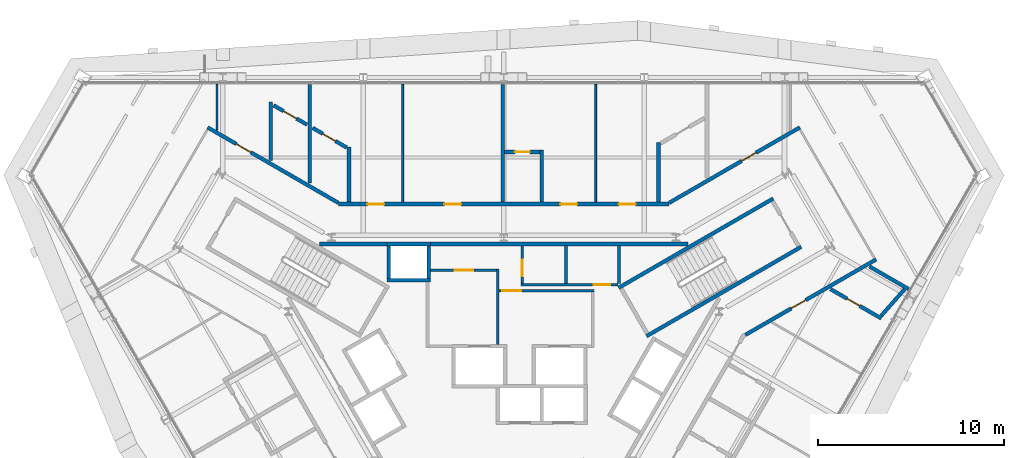
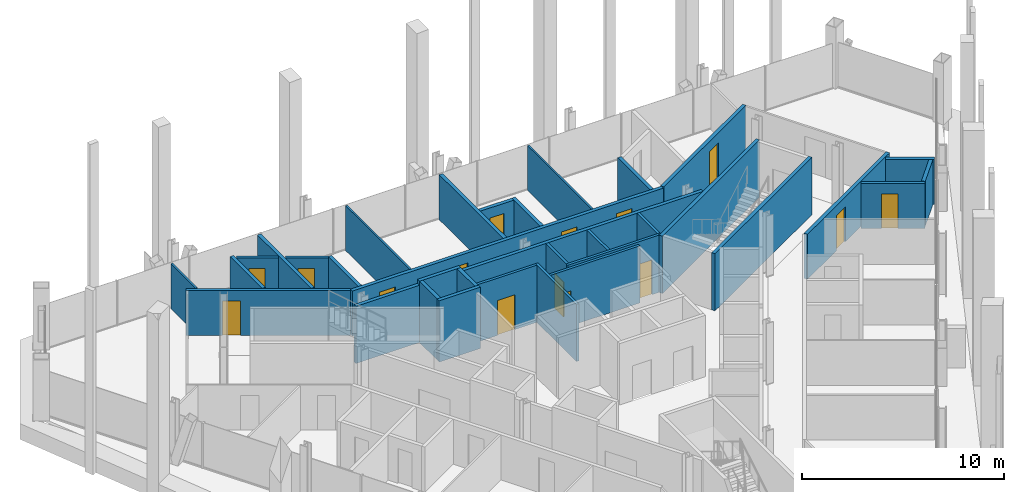
# One storey, part 11 of 14: 34 walls, 15 doors, 15 openings.
"""IFC4 building model written with IfcOpenShell, lengths in metres."""

from ifc_helpers import new_model, si_unit, direction, frame, frame_2d, origin, place, context, subcontext, project, spatial, rectangle, extrude, material, layer, layer_set, type_object, element, fill, save


model = new_model("IFC4")

# Units and contexts
model_context = context("Model", 3, precision=1e-05, world=origin(), true_north=direction((0.0, 1.0)))
body_context = subcontext(model_context, "Body", "Model", "MODEL_VIEW")
ifc_project = project(units=[si_unit("LENGTHUNIT", "METRE"), si_unit("AREAUNIT", "SQUARE_METRE"), si_unit("VOLUMEUNIT", "CUBIC_METRE"), si_unit("PLANEANGLEUNIT", "RADIAN"), si_unit("MASSUNIT", "GRAM", prefix="KILO")], contexts=[model_context])

# Site, building, storey
site_placement = place(None, origin())
site = spatial("IfcSite", under=ifc_project, at=site_placement, CompositionType="ELEMENT")
building_placement = place(site_placement, origin())
building = spatial("IfcBuilding", under=site, at=building_placement, Name="Verrane Prism Tower", CompositionType="ELEMENT")
storey_placement = place(building_placement, frame((0.0, 0.0, 148.800048828125)))
storey = spatial("IfcBuildingStorey", under=building, at=storey_placement, Name="L36", CompositionType="ELEMENT", Elevation=148.800048828125)

# Walls
ifc_material_1 = material(Name="Gypsum board partition", Category="other")
ifc_layer_1 = layer(ifc_material_1, 0.199951171875)
ifc_layer_set_1 = layer_set([ifc_layer_1], Name="CW-200 core boundary wall 2 h")
wall_type_1 = type_object("IfcWallType", Name="CW-200 core boundary wall 2 h", PredefinedType="PARTITIONING", material=ifc_layer_set_1)
wall_1_placement = place(storey_placement, frame((-9.907958984375, 7.659912109375, 0.0), z_axis=(0.0, 0.0, 1.0), x_axis=(1.0, 0.0, 0.0)))
element("IfcWall", 1, at=wall_1_placement, inside=storey, type_object=wall_type_1, Name="Core boundary wall CW3-002", PredefinedType="PARTITIONING", context=body_context, shape_type="SweptSolid", body=[
    extrude(rectangle(XDim=3.620849609375, YDim=0.199951171875, at=frame_2d((1.810546875, 0.0))), origin(), (0.0, 0.0, 1.0), 3.449951171875),
])
wall_2_placement = place(storey_placement, frame((-3.93310546875, 7.659912109375, 0.0), z_axis=(0.0, 0.0, 1.0), x_axis=(1.0, 0.0, 0.0)))
element("IfcWall", 2, at=wall_2_placement, inside=storey, type_object=wall_type_1, Name="Core boundary wall CW3-005", PredefinedType="PARTITIONING", context=body_context, shape_type="SweptSolid", body=[
    extrude(rectangle(XDim=13.841064453125, YDim=0.199951171875, at=frame_2d((6.92041015625, 0.0))), origin(), (0.0, 0.0, 1.0), 3.449951171875),
])
ifc_material_2 = material(Name="Concrete C40/50", Category="concrete")
ifc_layer_2 = layer(ifc_material_2, 0.199951171875)
ifc_layer_set_2 = layer_set([ifc_layer_2], Name="CW-200 stair core wall concrete C40/50 3 h")
wall_type_2 = type_object("IfcWallType", Name="CW-200 stair core wall concrete C40/50 3 h", PredefinedType="PARTITIONING", material=ifc_layer_set_2)
for number, where, z_axis, x_axis, name in (
    (3, (6.17822265625, 5.299072265625, 0.0), (0.0, 0.0, 1.0), (0.866019993635, 0.500009370536, 0.0), "Stair 1 enclosure wall"),
    (4, (7.67822265625, 2.700927734375, 0.0), (0.0, 0.0, 1.0), (0.866019993635, 0.500009370536, 0.0), "Stair 1 enclosure wall"),
):
    element("IfcWall", number, at=place(storey_placement, frame(where, z_axis=z_axis, x_axis=x_axis)), inside=storey, type_object=wall_type_2, Name=name, PredefinedType="PARTITIONING", context=body_context, shape_type="SweptSolid", body=[
        extrude(rectangle(XDim=9.599853515625, YDim=0.199951171875, at=frame_2d((4.7998046875, 0.0))), origin(), (0.0, 0.0, 1.0), 3.449951171875),
    ])
ifc_material_3 = material(Name="Gypsum board shaft wall assembly", Category="other")
ifc_layer_3 = layer(ifc_material_3, 0.199951171875)
ifc_layer_set_3 = layer_set([ifc_layer_3], Name="HW-200 lift shaft wall 2 h")
wall_type_3 = type_object("IfcWallType", Name="HW-200 lift shaft wall 2 h", PredefinedType="PARTITIONING", material=ifc_layer_set_3)
for number, where, z_axis, x_axis, name in (
    (5, (-6.284912109375, 5.7099609375, 0.0), (0.0, 0.0, 1.0), (1.0, 0.0, 0.0), "Lift shaft wall"),
    (6, (-6.284912109375, 7.659912109375, 0.0), (0.0, 0.0, 1.0), (1.0, 0.0, 0.0), "Lift shaft wall"),
):
    element("IfcWall", number, at=place(storey_placement, frame(where, z_axis=z_axis, x_axis=x_axis)), inside=storey, type_object=wall_type_3, Name=name, PredefinedType="PARTITIONING", context=body_context, shape_type="SweptSolid", body=[
        extrude(rectangle(XDim=2.349853515625, YDim=0.199951171875, at=frame_2d((1.1748046875, 0.0))), origin(), (0.0, 0.0, 1.0), 3.699951171875),
    ])
for number, where, z_axis, x_axis, name in (
    (7, (-4.034912109375, 5.81005859375, 0.0), (0.0, 0.0, 1.0), (0.0, 1.0, 0.0), "Lift shaft wall"),
    (8, (-6.18505859375, 5.81005859375, 0.0), (0.0, 0.0, 1.0), (0.0, 1.0, 0.0), "Lift shaft wall"),
):
    element("IfcWall", number, at=place(storey_placement, frame(where, z_axis=z_axis, x_axis=x_axis)), inside=storey, type_object=wall_type_3, Name=name, PredefinedType="PARTITIONING", context=body_context, shape_type="SweptSolid", body=[
        extrude(rectangle(XDim=1.75, YDim=0.199951171875, at=frame_2d((0.875, 0.0))), origin(), (0.0, 0.0, 1.0), 3.699951171875),
    ])

# Wall, opening, door
ifc_material_4 = material(Name="Gypsum board partition", Category="other")
ifc_layer_4 = layer(ifc_material_4, 0.14990234375)
ifc_layer_set_4 = layer_set([ifc_layer_4], Name="LF-150 firefighting lobby wall 1 h")
wall_type_4 = type_object("IfcWallType", Name="LF-150 firefighting lobby wall 1 h", PredefinedType="PARTITIONING", material=ifc_layer_set_4)
wall_3_placement = place(storey_placement, frame((-3.93310546875, 6.239990234375, 0.0), z_axis=(0.0, 0.0, 1.0), x_axis=(1.0, 0.0, 0.0)))
wall_3 = element("IfcWall", 9, at=wall_3_placement, inside=storey, type_object=wall_type_4, Name="Firefighting lobby wall LF1-003", PredefinedType="PARTITIONING", context=body_context, shape_type="SweptSolid", body=[
    extrude(rectangle(XDim=3.5380859375, YDim=0.14990234375, at=frame_2d((1.76904296875, 0.0))), origin(), (0.0, 0.0, 1.0), 3.449951171875),
])
opening_1_placement = place(wall_3_placement, frame((1.300048828125, 0.0, 0.0)))
opening_1 = element("IfcOpeningElement", 10, at=opening_1_placement, cuts=wall_3, Name="Opening D36512", PredefinedType="OPENING", context=body_context, shape_type="SweptSolid", body=[
    extrude(rectangle(XDim=1.0, YDim=2.10009765625, at=frame_2d((0.5, 1.050048828125))), frame((0.0, 0.0849609375, 0.0), z_axis=(0.0, -1.0, 0.0), x_axis=(1.0, 0.0, 0.0)), (0.0, 0.0, 1.0), 0.169921875),
])
ifc_material_5 = material(Name="Timber veneered door leaf", Category="wood")
door_type_1 = type_object("IfcDoorType", Name="DR-1000x2100 FD60 single leaf firefighting lobby", OperationType="NOTDEFINED", PredefinedType="DOOR", material=ifc_material_5)
door_1_placement = place(opening_1_placement, origin())
door_1 = element("IfcDoor", 11, at=door_1_placement, inside=storey, type_object=door_type_1, Name="Firefighting lobby door D36512", OperationType="SINGLE_SWING_LEFT", OverallHeight=2.10009765625, OverallWidth=1.0, PredefinedType="DOOR", context=body_context, shape_type="SweptSolid", body=[
    extrude(rectangle(XDim=1.0, YDim=2.10009765625, at=frame_2d((0.5, 1.050048828125))), frame((0.0, 0.02490234375, 0.0), z_axis=(0.0, -1.0, 0.0), x_axis=(1.0, 0.0, 0.0)), (0.0, 0.0, 1.0), 0.050048828125),
])
fill(opening_1, door_1)

# Wall
wall_4_placement = place(storey_placement, frame((-0.320068359375, 2.251953125, 0.0), z_axis=(0.0, 0.0, 1.0), x_axis=(0.0, 1.0, 0.0)))
element("IfcWall", 12, at=wall_4_placement, inside=storey, type_object=wall_type_4, Name="Firefighting lobby wall LF1-004", PredefinedType="PARTITIONING", context=body_context, shape_type="SweptSolid", body=[
    extrude(rectangle(XDim=4.06298828125, YDim=0.14990234375, at=frame_2d((2.031494140625, 0.0))), origin(), (0.0, 0.0, 1.0), 3.449951171875),
])

# Wall, opening, door
wall_5_placement = place(storey_placement, frame((-0.2451171875, 5.139892578125, 0.0), z_axis=(0.0, 0.0, 1.0), x_axis=(1.0, 0.0, 0.0)))
wall_5 = element("IfcWall", 13, at=wall_5_placement, inside=storey, type_object=wall_type_4, Name="Firefighting lobby wall LF1-005", PredefinedType="PARTITIONING", context=body_context, shape_type="SweptSolid", body=[
    extrude(rectangle(XDim=5.110107421875, YDim=0.14990234375, at=frame_2d((2.55517578125, 0.0))), origin(), (0.0, 0.0, 1.0), 3.449951171875),
])
opening_2_placement = place(wall_5_placement, frame((0.175048828125, 0.0, 0.0)))
opening_2 = element("IfcOpeningElement", 14, at=opening_2_placement, cuts=wall_5, Name="Opening D36513", PredefinedType="OPENING", context=body_context, shape_type="SweptSolid", body=[
    extrude(rectangle(XDim=1.0, YDim=2.10009765625, at=frame_2d((0.5, 1.050048828125))), frame((0.0, 0.0849609375, 0.0), z_axis=(0.0, -1.0, 0.0), x_axis=(1.0, 0.0, 0.0)), (0.0, 0.0, 1.0), 0.169921875),
])
door_2_placement = place(opening_2_placement, origin())
door_2 = element("IfcDoor", 15, at=door_2_placement, inside=storey, type_object=door_type_1, Name="Firefighting lobby door D36513", OperationType="SINGLE_SWING_LEFT", OverallHeight=2.10009765625, OverallWidth=1.0, PredefinedType="DOOR", context=body_context, shape_type="SweptSolid", body=[
    extrude(rectangle(XDim=1.0, YDim=2.10009765625, at=frame_2d((0.5, 1.050048828125))), frame((0.0, 0.02490234375, 0.0), z_axis=(0.0, -1.0, 0.0), x_axis=(1.0, 0.0, 0.0)), (0.0, 0.0, 1.0), 0.050048828125),
])
fill(opening_2, door_2)

# Walls
ifc_material_6 = material(Name="Gypsum board partition", Category="other")
ifc_layer_5 = layer(ifc_material_6, 0.10009765625)
ifc_layer_set_5 = layer_set([ifc_layer_5], Name="PW-100 room partition")
wall_type_5 = type_object("IfcWallType", Name="PW-100 room partition", PredefinedType="PARTITIONING", material=ifc_layer_set_5)
wall_6_placement = place(storey_placement, frame((-15.4130859375, 13.7744140625, 0.0), z_axis=(0.0, 0.0, 1.0), x_axis=(0.0, 1.0, 0.0)))
element("IfcWall", 16, at=wall_6_placement, inside=storey, type_object=wall_type_5, Name="Room partition 007", PredefinedType="PARTITIONING", context=body_context, shape_type="SweptSolid", body=[
    extrude(rectangle(XDim=2.460693359375, YDim=0.10009765625, at=frame_2d((1.23046875, 0.0))), origin(), (0.0, 0.0, 1.0), 2.712890625),
])
for number, where, z_axis, x_axis, name in (
    (17, (-5.43701171875, 9.89990234375, 0.0), (0.0, 0.0, 1.0), (0.0, 1.0, 0.0), "Room partition 023"),
    (18, (4.93798828125, 9.89990234375, 0.0), (0.0, 0.0, 1.0), (0.0, 1.0, 0.0), "Room partition 032"),
):
    element("IfcWall", number, at=place(storey_placement, frame(where, z_axis=z_axis, x_axis=x_axis)), inside=storey, type_object=wall_type_5, Name=name, PredefinedType="PARTITIONING", context=body_context, shape_type="SweptSolid", body=[
        extrude(rectangle(XDim=6.335205078125, YDim=0.10009765625, at=frame_2d((3.16748046875, 0.0))), origin(), (0.0, 0.0, 1.0), 2.712890625),
    ])

# Wall, opening, door
ifc_material_7 = material(Name="Gypsum board partition", Category="other")
ifc_layer_6 = layer(ifc_material_7, 0.199951171875)
ifc_layer_set_6 = layer_set([ifc_layer_6], Name="PW-200 plumbing wall")
wall_type_6 = type_object("IfcWallType", Name="PW-200 plumbing wall", PredefinedType="PARTITIONING", material=ifc_layer_set_6)
wall_7_placement = place(storey_placement, frame((-15.92138671875, 13.923095703125, 0.0), z_axis=(0.0, 0.0, 1.0), x_axis=(0.866079355551, -0.499906541154, 0.0)))
wall_7 = element("IfcWall", 19, at=wall_7_placement, inside=storey, type_object=wall_type_6, Name="Plumbing wall 006", PredefinedType="PARTITIONING", context=body_context, shape_type="SweptSolid", body=[
    extrude(rectangle(XDim=8.11279296875, YDim=0.199951171875, at=frame_2d((4.056396484375, 0.0))), origin(), (0.0, 0.0, 1.0), 2.712890625),
])
opening_3_placement = place(wall_7_placement, frame((1.787109375, 0.0, 0.0)))
opening_3 = element("IfcOpeningElement", 20, at=opening_3_placement, cuts=wall_7, Name="Opening D36018", PredefinedType="OPENING", context=body_context, shape_type="SweptSolid", body=[
    extrude(rectangle(XDim=0.89990234375, YDim=2.10009765625, at=frame_2d((0.449951171875, 1.050048828125))), frame((0.0, 0.10986328125, 0.0), z_axis=(0.0, -1.0, 0.0), x_axis=(1.0, 0.0, 0.0)), (0.0, 0.0, 1.0), 0.219970703125),
])
ifc_material_8 = material(Name="Timber veneered door leaf", Category="wood")
door_type_2 = type_object("IfcDoorType", Name="DR-900x2100 single leaf inner", OperationType="NOTDEFINED", PredefinedType="DOOR", material=ifc_material_8)
door_3_placement = place(opening_3_placement, origin())
door_3 = element("IfcDoor", 21, at=door_3_placement, inside=storey, type_object=door_type_2, Name="Bedroom door", OperationType="SINGLE_SWING_RIGHT", OverallHeight=2.10009765625, OverallWidth=0.89990234375, PredefinedType="DOOR", context=body_context, shape_type="SweptSolid", body=[
    extrude(rectangle(XDim=0.89990234375, YDim=2.10009765625, at=frame_2d((0.449951171875, 1.050048828125))), frame((0.0, 0.02490234375, 0.0), z_axis=(0.0, -1.0, 0.0), x_axis=(1.0, 0.0, 0.0)), (0.0, 0.0, 1.0), 0.050048828125),
])
fill(opening_3, door_3)

# Wall
wall_8_placement = place(storey_placement, frame((-12.52490234375, 12.13623046875, 0.0), z_axis=(0.0, 0.0, 1.0), x_axis=(0.0, 1.0, 0.0)))
element("IfcWall", 22, at=wall_8_placement, inside=storey, type_object=wall_type_6, Name="Plumbing wall 013", PredefinedType="PARTITIONING", context=body_context, shape_type="SweptSolid", body=[
    extrude(rectangle(XDim=3.15966796875, YDim=0.199951171875, at=frame_2d((1.579833984375, 0.0))), origin(), (0.0, 0.0, 1.0), 2.712890625),
])

# Wall, opening, door
wall_9_placement = place(storey_placement, frame((-10.574951171875, 14.070556640625, 0.0), z_axis=(0.0, 0.0, 1.0), x_axis=(-0.866084027935, 0.499898446243, 0.0)))
wall_9 = element("IfcWall", 23, at=wall_9_placement, inside=storey, type_object=wall_type_6, Name="Plumbing wall 014", PredefinedType="PARTITIONING", context=body_context, shape_type="SweptSolid", body=[
    extrude(rectangle(XDim=2.08154296875, YDim=0.199951171875, at=frame_2d((1.040771484375, 0.0))), origin(), (0.0, 0.0, 1.0), 2.712890625),
])
opening_4_placement = place(wall_9_placement, frame((0.6513671875, 0.0, 0.0)))
opening_4 = element("IfcOpeningElement", 24, at=opening_4_placement, cuts=wall_9, Name="Opening D36019", PredefinedType="OPENING", context=body_context, shape_type="SweptSolid", body=[
    extrude(rectangle(XDim=0.800048828125, YDim=2.10009765625, at=frame_2d((0.39990234375, 1.050048828125))), frame((0.0, 0.10986328125, 0.0), z_axis=(0.0, -1.0, 0.0), x_axis=(1.0, 0.0, 0.0)), (0.0, 0.0, 1.0), 0.219970703125),
])
ifc_material_9 = material(Name="Timber veneered door leaf", Category="wood")
door_type_3 = type_object("IfcDoorType", Name="DR-800x2100 single leaf bath", OperationType="NOTDEFINED", PredefinedType="DOOR", material=ifc_material_9)
door_4_placement = place(opening_4_placement, origin())
door_4 = element("IfcDoor", 25, at=door_4_placement, inside=storey, type_object=door_type_3, Name="Bathroom door", OperationType="SINGLE_SWING_RIGHT", OverallHeight=2.10009765625, OverallWidth=0.800048828125, PredefinedType="DOOR", context=body_context, shape_type="SweptSolid", body=[
    extrude(rectangle(XDim=0.800048828125, YDim=2.10009765625, at=frame_2d((0.39990234375, 1.050048828125))), frame((0.0, 0.02490234375, 0.0), z_axis=(0.0, -1.0, 0.0), x_axis=(1.0, 0.0, 0.0)), (0.0, 0.0, 1.0), 0.050048828125),
])
fill(opening_4, door_4)

# Wall
wall_10_placement = place(storey_placement, frame((-10.425048828125, 10.924072265625, 0.0), z_axis=(0.0, 0.0, 1.0), x_axis=(0.0, 1.0, 0.0)))
element("IfcWall", 26, at=wall_10_placement, inside=storey, type_object=wall_type_6, Name="Plumbing wall 017", PredefinedType="PARTITIONING", context=body_context, shape_type="SweptSolid", body=[
    extrude(rectangle(XDim=5.31103515625, YDim=0.199951171875, at=frame_2d((2.655517578125, 0.0))), origin(), (0.0, 0.0, 1.0), 2.712890625),
])

# Wall, opening, door
wall_11_placement = place(storey_placement, frame((-8.44189453125, 12.839599609375, 0.0), z_axis=(0.0, 0.0, 1.0), x_axis=(-0.866112597434, 0.499848945749, 0.0)))
wall_11 = element("IfcWall", 27, at=wall_11_placement, inside=storey, type_object=wall_type_6, Name="Plumbing wall 018", PredefinedType="PARTITIONING", context=body_context, shape_type="SweptSolid", body=[
    extrude(rectangle(XDim=2.116455078125, YDim=0.199951171875, at=frame_2d((1.05810546875, 0.0))), origin(), (0.0, 0.0, 1.0), 2.712890625),
])
opening_5_placement = place(wall_11_placement, frame((0.689697265625, 0.0, 0.0)))
opening_5 = element("IfcOpeningElement", 28, at=opening_5_placement, cuts=wall_11, Name="Opening D36017", PredefinedType="OPENING", context=body_context, shape_type="SweptSolid", body=[
    extrude(rectangle(XDim=0.800048828125, YDim=2.10009765625, at=frame_2d((0.39990234375, 1.050048828125))), frame((0.0, 0.10986328125, 0.0), z_axis=(0.0, -1.0, 0.0), x_axis=(1.0, 0.0, 0.0)), (0.0, 0.0, 1.0), 0.219970703125),
])
door_5_placement = place(opening_5_placement, origin())
door_5 = element("IfcDoor", 29, at=door_5_placement, inside=storey, type_object=door_type_3, Name="Bathroom door", OperationType="SINGLE_SWING_RIGHT", OverallHeight=2.10009765625, OverallWidth=0.800048828125, PredefinedType="DOOR", context=body_context, shape_type="SweptSolid", body=[
    extrude(rectangle(XDim=0.800048828125, YDim=2.10009765625, at=frame_2d((0.39990234375, 1.050048828125))), frame((0.0, 0.02490234375, 0.0), z_axis=(0.0, -1.0, 0.0), x_axis=(1.0, 0.0, 0.0)), (0.0, 0.0, 1.0), 0.050048828125),
])
fill(opening_5, door_5)

# Wall, openings, doors
wall_12_placement = place(storey_placement, frame((-8.8779296875, 9.800048828125, 0.0), z_axis=(0.0, 0.0, 1.0), x_axis=(1.0, 0.0, 0.0)))
wall_12 = element("IfcWall", 30, at=wall_12_placement, inside=storey, type_object=wall_type_6, Name="Plumbing wall 020", PredefinedType="PARTITIONING", context=body_context, shape_type="SweptSolid", body=[
    extrude(rectangle(XDim=17.755859375, YDim=0.199951171875, at=frame_2d((8.8779296875, 0.0))), origin(), (0.0, 0.0, 1.0), 2.712890625),
])
opening_6_placement = place(wall_12_placement, frame((15.06591796875, 0.0, 0.0)))
opening_6 = element("IfcOpeningElement", 31, at=opening_6_placement, cuts=wall_12, Name="Opening D36011", PredefinedType="OPENING", context=body_context, shape_type="SweptSolid", body=[
    extrude(rectangle(XDim=0.89990234375, YDim=2.10009765625, at=frame_2d((0.449951171875, 1.050048828125))), frame((0.0, 0.10986328125, 0.0), z_axis=(0.0, -1.0, 0.0), x_axis=(1.0, 0.0, 0.0)), (0.0, 0.0, 1.0), 0.219970703125),
])
opening_7_placement = place(wall_12_placement, frame((11.927978515625, 0.0, 0.0)))
opening_7 = element("IfcOpeningElement", 32, at=opening_7_placement, cuts=wall_12, Name="Opening D36013", PredefinedType="OPENING", context=body_context, shape_type="SweptSolid", body=[
    extrude(rectangle(XDim=0.89990234375, YDim=2.10009765625, at=frame_2d((0.449951171875, 1.050048828125))), frame((0.0, 0.10986328125, 0.0), z_axis=(0.0, -1.0, 0.0), x_axis=(1.0, 0.0, 0.0)), (0.0, 0.0, 1.0), 0.219970703125),
])
opening_8_placement = place(wall_12_placement, frame((5.69091796875, 0.0, 0.0)))
opening_8 = element("IfcOpeningElement", 33, at=opening_8_placement, cuts=wall_12, Name="Opening D36015", PredefinedType="OPENING", context=body_context, shape_type="SweptSolid", body=[
    extrude(rectangle(XDim=0.89990234375, YDim=2.10009765625, at=frame_2d((0.449951171875, 1.050048828125))), frame((0.0, 0.10986328125, 0.0), z_axis=(0.0, -1.0, 0.0), x_axis=(1.0, 0.0, 0.0)), (0.0, 0.0, 1.0), 0.219970703125),
])
opening_9_placement = place(wall_12_placement, frame((1.552978515625, 0.0, 0.0)))
opening_9 = element("IfcOpeningElement", 34, at=opening_9_placement, cuts=wall_12, Name="Opening D36016", PredefinedType="OPENING", context=body_context, shape_type="SweptSolid", body=[
    extrude(rectangle(XDim=0.89990234375, YDim=2.10009765625, at=frame_2d((0.449951171875, 1.050048828125))), frame((0.0, 0.10986328125, 0.0), z_axis=(0.0, -1.0, 0.0), x_axis=(1.0, 0.0, 0.0)), (0.0, 0.0, 1.0), 0.219970703125),
])
door_6_placement = place(opening_6_placement, origin())
door_6 = element("IfcDoor", 35, at=door_6_placement, inside=storey, type_object=door_type_2, Name="Master Bedroom door", OperationType="SINGLE_SWING_LEFT", OverallHeight=2.10009765625, OverallWidth=0.89990234375, PredefinedType="DOOR", context=body_context, shape_type="SweptSolid", body=[
    extrude(rectangle(XDim=0.89990234375, YDim=2.10009765625, at=frame_2d((0.449951171875, 1.050048828125))), frame((0.0, 0.02490234375, 0.0), z_axis=(0.0, -1.0, 0.0), x_axis=(1.0, 0.0, 0.0)), (0.0, 0.0, 1.0), 0.050048828125),
])
fill(opening_6, door_6)
door_7_placement = place(opening_7_placement, origin())
door_7 = element("IfcDoor", 36, at=door_7_placement, inside=storey, type_object=door_type_2, Name="Bedroom door", OperationType="SINGLE_SWING_LEFT", OverallHeight=2.10009765625, OverallWidth=0.89990234375, PredefinedType="DOOR", context=body_context, shape_type="SweptSolid", body=[
    extrude(rectangle(XDim=0.89990234375, YDim=2.10009765625, at=frame_2d((0.449951171875, 1.050048828125))), frame((0.0, 0.02490234375, 0.0), z_axis=(0.0, -1.0, 0.0), x_axis=(1.0, 0.0, 0.0)), (0.0, 0.0, 1.0), 0.050048828125),
])
fill(opening_7, door_7)
door_8_placement = place(opening_9_placement, origin())
door_8 = element("IfcDoor", 37, at=door_8_placement, inside=storey, type_object=door_type_2, Name="Bedroom door", OperationType="SINGLE_SWING_RIGHT", OverallHeight=2.10009765625, OverallWidth=0.89990234375, PredefinedType="DOOR", context=body_context, shape_type="SweptSolid", body=[
    extrude(rectangle(XDim=0.89990234375, YDim=2.10009765625, at=frame_2d((0.449951171875, 1.050048828125))), frame((0.0, 0.02490234375, 0.0), z_axis=(0.0, -1.0, 0.0), x_axis=(1.0, 0.0, 0.0)), (0.0, 0.0, 1.0), 0.050048828125),
])
fill(opening_9, door_8)
ifc_material_10 = material(Name="Timber veneered door leaf", Category="wood")
door_type_4 = type_object("IfcDoorType", Name="DR-900x2100 single leaf unit", OperationType="NOTDEFINED", PredefinedType="DOOR", material=ifc_material_10)
door_9_placement = place(opening_8_placement, origin())
door_9 = element("IfcDoor", 38, at=door_9_placement, inside=storey, type_object=door_type_4, Name="Study door", OperationType="SINGLE_SWING_LEFT", OverallHeight=2.10009765625, OverallWidth=0.89990234375, PredefinedType="DOOR", context=body_context, shape_type="SweptSolid", body=[
    extrude(rectangle(XDim=0.89990234375, YDim=2.10009765625, at=frame_2d((0.449951171875, 1.050048828125))), frame((0.0, 0.02490234375, 0.0), z_axis=(0.0, -1.0, 0.0), x_axis=(1.0, 0.0, 0.0)), (0.0, 0.0, 1.0), 0.050048828125),
])
fill(opening_8, door_9)

# Walls
wall_13_placement = place(storey_placement, frame((-8.324951171875, 9.89990234375, 0.0), z_axis=(0.0, 0.0, 1.0), x_axis=(0.0, 1.0, 0.0)))
element("IfcWall", 39, at=wall_13_placement, inside=storey, type_object=wall_type_6, Name="Plumbing wall 021", PredefinedType="PARTITIONING", context=body_context, shape_type="SweptSolid", body=[
    extrude(rectangle(XDim=2.97216796875, YDim=0.199951171875, at=frame_2d((1.486083984375, 0.0))), origin(), (0.0, 0.0, 1.0), 2.712890625),
])
wall_14_placement = place(storey_placement, frame((-0.050048828125, 9.89990234375, 0.0), z_axis=(0.0, 0.0, 1.0), x_axis=(0.0, 1.0, 0.0)))
element("IfcWall", 40, at=wall_14_placement, inside=storey, type_object=wall_type_6, Name="Plumbing wall 026", PredefinedType="PARTITIONING", context=body_context, shape_type="SweptSolid", body=[
    extrude(rectangle(XDim=6.335205078125, YDim=0.199951171875, at=frame_2d((3.16748046875, 0.0))), origin(), (0.0, 0.0, 1.0), 2.712890625),
])

# Wall, opening, door
wall_15_placement = place(storey_placement, frame((1.949951171875, 12.60009765625, 0.0), z_axis=(0.0, 0.0, 1.0), x_axis=(-1.0, 0.0, 0.0)))
wall_15 = element("IfcWall", 41, at=wall_15_placement, inside=storey, type_object=wall_type_6, Name="Plumbing wall 027", PredefinedType="PARTITIONING", context=body_context, shape_type="SweptSolid", body=[
    extrude(rectangle(XDim=1.89990234375, YDim=0.199951171875, at=frame_2d((0.949951171875, 0.0))), origin(), (0.0, 0.0, 1.0), 2.712890625),
])
opening_10_placement = place(wall_15_placement, frame((0.550048828125, 0.0, 0.0)))
opening_10 = element("IfcOpeningElement", 42, at=opening_10_placement, cuts=wall_15, Name="Opening D36014", PredefinedType="OPENING", context=body_context, shape_type="SweptSolid", body=[
    extrude(rectangle(XDim=0.800048828125, YDim=2.10009765625, at=frame_2d((0.39990234375, 1.050048828125))), frame((0.0, 0.10986328125, 0.0), z_axis=(0.0, -1.0, 0.0), x_axis=(1.0, 0.0, 0.0)), (0.0, 0.0, 1.0), 0.219970703125),
])
door_10_placement = place(opening_10_placement, origin())
door_10 = element("IfcDoor", 43, at=door_10_placement, inside=storey, type_object=door_type_3, Name="Bathroom door", OperationType="SINGLE_SWING_LEFT", OverallHeight=2.10009765625, OverallWidth=0.800048828125, PredefinedType="DOOR", context=body_context, shape_type="SweptSolid", body=[
    extrude(rectangle(XDim=0.800048828125, YDim=2.10009765625, at=frame_2d((0.39990234375, 1.050048828125))), frame((0.0, 0.02490234375, 0.0), z_axis=(0.0, -1.0, 0.0), x_axis=(1.0, 0.0, 0.0)), (0.0, 0.0, 1.0), 0.050048828125),
])
fill(opening_10, door_10)

# Walls
wall_16_placement = place(storey_placement, frame((2.050048828125, 9.89990234375, 0.0), z_axis=(0.0, 0.0, 1.0), x_axis=(0.0, 1.0, 0.0)))
element("IfcWall", 44, at=wall_16_placement, inside=storey, type_object=wall_type_6, Name="Plumbing wall 028", PredefinedType="PARTITIONING", context=body_context, shape_type="SweptSolid", body=[
    extrude(rectangle(XDim=2.800048828125, YDim=0.199951171875, at=frame_2d((1.39990234375, 0.0))), origin(), (0.0, 0.0, 1.0), 2.712890625),
])
wall_17_placement = place(storey_placement, frame((8.323974609375, 9.89990234375, 0.0), z_axis=(0.0, 0.0, 1.0), x_axis=(0.0, 1.0, 0.0)))
element("IfcWall", 45, at=wall_17_placement, inside=storey, type_object=wall_type_6, Name="Plumbing wall 034", PredefinedType="PARTITIONING", context=body_context, shape_type="SweptSolid", body=[
    extrude(rectangle(XDim=3.2021484375, YDim=0.199951171875, at=frame_2d((1.60107421875, 0.0))), origin(), (0.0, 0.0, 1.0), 2.712890625),
])

# Wall, opening, door
wall_18_placement = place(storey_placement, frame((8.89501953125, 9.867431640625, 0.0), z_axis=(0.0, 0.0, 1.0), x_axis=(0.866079355551, 0.499906541154, 0.0)))
wall_18 = element("IfcWall", 46, at=wall_18_placement, inside=storey, type_object=wall_type_6, Name="Plumbing wall 037", PredefinedType="PARTITIONING", context=body_context, shape_type="SweptSolid", body=[
    extrude(rectangle(XDim=8.11279296875, YDim=0.199951171875, at=frame_2d((4.056396484375, 0.0))), origin(), (0.0, 0.0, 1.0), 2.712890625),
])
opening_11_placement = place(wall_18_placement, frame((4.492919921875, 0.0, 0.0)))
opening_11 = element("IfcOpeningElement", 47, at=opening_11_placement, cuts=wall_18, Name="Opening D36010", PredefinedType="OPENING", context=body_context, shape_type="SweptSolid", body=[
    extrude(rectangle(XDim=0.89990234375, YDim=2.10009765625, at=frame_2d((0.449951171875, 1.050048828125))), frame((0.0, 0.10986328125, 0.0), z_axis=(0.0, -1.0, 0.0), x_axis=(1.0, 0.0, 0.0)), (0.0, 0.0, 1.0), 0.219970703125),
])
door_11_placement = place(opening_11_placement, origin())
door_11 = element("IfcDoor", 48, at=door_11_placement, inside=storey, type_object=door_type_4, Name="Kitchen door", OperationType="SINGLE_SWING_RIGHT", OverallHeight=2.10009765625, OverallWidth=0.89990234375, PredefinedType="DOOR", context=body_context, shape_type="SweptSolid", body=[
    extrude(rectangle(XDim=0.89990234375, YDim=2.10009765625, at=frame_2d((0.449951171875, 1.050048828125))), frame((0.0, 0.02490234375, 0.0), z_axis=(0.0, -1.0, 0.0), x_axis=(1.0, 0.0, 0.0)), (0.0, 0.0, 1.0), 0.050048828125),
])
fill(opening_11, door_11)

wall_19_placement = place(storey_placement, frame((20.023193359375, 6.825927734375, 0.0), z_axis=(0.0, 0.0, 1.0), x_axis=(-0.866100425926, -0.499870035319, 0.0)))
wall_19 = element("IfcWall", 49, at=wall_19_placement, inside=storey, type_object=wall_type_6, Name="Plumbing wall 043", PredefinedType="PARTITIONING", context=body_context, shape_type="SweptSolid", body=[
    extrude(rectangle(XDim=8.114990234375, YDim=0.199951171875, at=frame_2d((4.0576171875, 0.0))), origin(), (0.0, 0.0, 1.0), 2.712890625),
])
opening_12_placement = place(wall_19_placement, frame((4.373046875, 0.0, 0.0)))
opening_12 = element("IfcOpeningElement", 50, at=opening_12_placement, cuts=wall_19, Name="Opening D36007", PredefinedType="OPENING", context=body_context, shape_type="SweptSolid", body=[
    extrude(rectangle(XDim=0.89990234375, YDim=2.10009765625, at=frame_2d((0.449951171875, 1.050048828125))), frame((0.0, 0.10986328125, 0.0), z_axis=(0.0, -1.0, 0.0), x_axis=(1.0, 0.0, 0.0)), (0.0, 0.0, 1.0), 0.219970703125),
])
door_12_placement = place(opening_12_placement, origin())
door_12 = element("IfcDoor", 51, at=door_12_placement, inside=storey, type_object=door_type_2, Name="Bedroom door", OperationType="SINGLE_SWING_RIGHT", OverallHeight=2.10009765625, OverallWidth=0.89990234375, PredefinedType="DOOR", context=body_context, shape_type="SweptSolid", body=[
    extrude(rectangle(XDim=0.89990234375, YDim=2.10009765625, at=frame_2d((0.449951171875, 1.050048828125))), frame((0.0, 0.02490234375, 0.0), z_axis=(0.0, -1.0, 0.0), x_axis=(1.0, 0.0, 0.0)), (0.0, 0.0, 1.0), 0.050048828125),
])
fill(opening_12, door_12)

wall_20_placement = place(storey_placement, frame((17.56201171875, 5.232421875, 0.0), z_axis=(0.0, 0.0, 1.0), x_axis=(0.866109679077, -0.499854002494, 0.0)))
wall_20 = element("IfcWall", 52, at=wall_20_placement, inside=storey, type_object=wall_type_6, Name="Plumbing wall 048", PredefinedType="PARTITIONING", context=body_context, shape_type="SweptSolid", body=[
    extrude(rectangle(XDim=3.15966796875, YDim=0.199951171875, at=frame_2d((1.579833984375, 0.0))), origin(), (0.0, 0.0, 1.0), 2.712890625),
])
opening_13_placement = place(wall_20_placement, frame((1.02685546875, 0.0, 0.0)))
opening_13 = element("IfcOpeningElement", 53, at=opening_13_placement, cuts=wall_20, Name="Opening D36008", PredefinedType="OPENING", context=body_context, shape_type="SweptSolid", body=[
    extrude(rectangle(XDim=0.800048828125, YDim=2.10009765625, at=frame_2d((0.39990234375, 1.050048828125))), frame((0.0, 0.10986328125, 0.0), z_axis=(0.0, -1.0, 0.0), x_axis=(1.0, 0.0, 0.0)), (0.0, 0.0, 1.0), 0.219970703125),
])
door_13_placement = place(opening_13_placement, origin())
door_13 = element("IfcDoor", 54, at=door_13_placement, inside=storey, type_object=door_type_3, Name="Bathroom door", OperationType="SINGLE_SWING_RIGHT", OverallHeight=2.10009765625, OverallWidth=0.800048828125, PredefinedType="DOOR", context=body_context, shape_type="SweptSolid", body=[
    extrude(rectangle(XDim=0.800048828125, YDim=2.10009765625, at=frame_2d((0.39990234375, 1.050048828125))), frame((0.0, 0.02490234375, 0.0), z_axis=(0.0, -1.0, 0.0), x_axis=(1.0, 0.0, 0.0)), (0.0, 0.0, 1.0), 0.050048828125),
])
fill(opening_13, door_13)

# Walls
wall_21_placement = place(storey_placement, frame((19.662841796875, 6.4453125, 0.0), z_axis=(0.0, 0.0, 1.0), x_axis=(0.86589602499, -0.50022402372, 0.0)))
element("IfcWall", 55, at=wall_21_placement, inside=storey, type_object=wall_type_6, Name="Plumbing wall 049", PredefinedType="PARTITIONING", context=body_context, shape_type="SweptSolid", body=[
    extrude(rectangle(XDim=2.4296875, YDim=0.199951171875, at=frame_2d((1.21484375, 0.0))), origin(), (0.0, 0.0, 1.0), 2.712890625),
])
wall_22_placement = place(storey_placement, frame((20.291259765625, 3.79296875, 0.0), z_axis=(0.0, 0.0, 1.0), x_axis=(0.661392149771, 0.750040281733, 0.0)))
element("IfcWall", 56, at=wall_22_placement, inside=storey, type_object=wall_type_6, Name="Plumbing wall 050", PredefinedType="PARTITIONING", context=body_context, shape_type="SweptSolid", body=[
    extrude(rectangle(XDim=1.900390625, YDim=0.199951171875, at=frame_2d((0.9501953125, 0.0))), origin(), (0.0, 0.0, 1.0), 2.712890625),
])

# Wall, opening, door
ifc_material_11 = material(Name="Gypsum board partition", Category="other")
ifc_layer_7 = layer(ifc_material_11, 0.14990234375)
ifc_layer_set_7 = layer_set([ifc_layer_7], Name="RS-150 riser enclosure wall 1 h")
wall_type_7 = type_object("IfcWallType", Name="RS-150 riser enclosure wall 1 h", PredefinedType="PARTITIONING", material=ifc_layer_set_7)
wall_23_placement = place(storey_placement, frame((1.0, 7.56005859375, 0.0), z_axis=(0.0, 0.0, 1.0), x_axis=(0.0, -1.0, 0.0)))
wall_23 = element("IfcWall", 57, at=wall_23_placement, inside=storey, type_object=wall_type_7, Name="Riser wall RS3-001", PredefinedType="PARTITIONING", context=body_context, shape_type="SweptSolid", body=[
    extrude(rectangle(XDim=2.025146484375, YDim=0.14990234375, at=frame_2d((1.0126953125, 0.0))), origin(), (0.0, 0.0, 1.0), 3.449951171875),
])
opening_14_placement = place(wall_23_placement, frame((0.75, 0.0, 0.0)))
opening_14 = element("IfcOpeningElement", 58, at=opening_14_placement, cuts=wall_23, Name="Opening D36514", PredefinedType="OPENING", context=body_context, shape_type="SweptSolid", body=[
    extrude(rectangle(XDim=0.89990234375, YDim=2.10009765625, at=frame_2d((0.449951171875, 1.050048828125))), frame((0.0, 0.0849609375, 0.0), z_axis=(0.0, -1.0, 0.0), x_axis=(1.0, 0.0, 0.0)), (0.0, 0.0, 1.0), 0.169921875),
])
ifc_material_12 = material(Name="Timber veneered door leaf", Category="wood")
door_type_5 = type_object("IfcDoorType", Name="DR-900x2100 FD60 single leaf riser", OperationType="NOTDEFINED", PredefinedType="DOOR", material=ifc_material_12)
door_14_placement = place(opening_14_placement, origin())
door_14 = element("IfcDoor", 59, at=door_14_placement, inside=storey, type_object=door_type_5, Name="Riser door D36514", OperationType="SINGLE_SWING_RIGHT", OverallHeight=2.10009765625, OverallWidth=0.89990234375, PredefinedType="DOOR", context=body_context, shape_type="SweptSolid", body=[
    extrude(rectangle(XDim=0.89990234375, YDim=2.10009765625, at=frame_2d((0.449951171875, 1.050048828125))), frame((0.0, 0.02490234375, 0.0), z_axis=(0.0, -1.0, 0.0), x_axis=(1.0, 0.0, 0.0)), (0.0, 0.0, 1.0), 0.050048828125),
])
fill(opening_14, door_14)

wall_24_placement = place(storey_placement, frame((0.925048828125, 5.4599609375, 0.0), z_axis=(0.0, 0.0, 1.0), x_axis=(1.0, 0.0, 0.0)))
wall_24 = element("IfcWall", 60, at=wall_24_placement, inside=storey, type_object=wall_type_7, Name="Riser wall RS3-002", PredefinedType="PARTITIONING", context=body_context, shape_type="SweptSolid", body=[
    extrude(rectangle(XDim=5.219970703125, YDim=0.14990234375, at=frame_2d((2.60986328125, 0.0))), origin(), (0.0, 0.0, 1.0), 3.449951171875),
])
opening_15_placement = place(wall_24_placement, frame((3.9150390625, 0.0, 0.0)))
opening_15 = element("IfcOpeningElement", 61, at=opening_15_placement, cuts=wall_24, Name="Opening D36515", PredefinedType="OPENING", context=body_context, shape_type="SweptSolid", body=[
    extrude(rectangle(XDim=0.89990234375, YDim=2.10009765625, at=frame_2d((0.449951171875, 1.050048828125))), frame((0.0, 0.0849609375, 0.0), z_axis=(0.0, -1.0, 0.0), x_axis=(1.0, 0.0, 0.0)), (0.0, 0.0, 1.0), 0.169921875),
])
door_15_placement = place(opening_15_placement, origin())
door_15 = element("IfcDoor", 62, at=door_15_placement, inside=storey, type_object=door_type_5, Name="Riser door D36515", OperationType="SINGLE_SWING_RIGHT", OverallHeight=2.10009765625, OverallWidth=0.89990234375, PredefinedType="DOOR", context=body_context, shape_type="SweptSolid", body=[
    extrude(rectangle(XDim=0.89990234375, YDim=2.10009765625, at=frame_2d((0.449951171875, 1.050048828125))), frame((0.0, 0.02490234375, 0.0), z_axis=(0.0, -1.0, 0.0), x_axis=(1.0, 0.0, 0.0)), (0.0, 0.0, 1.0), 0.050048828125),
])
fill(opening_15, door_15)

# Walls
for number, where, z_axis, x_axis, name in (
    (63, (3.340087890625, 5.534912109375, 0.0), (0.0, 0.0, 1.0), (0.0, 1.0, 0.0), "Riser wall RS3-006"),
    (64, (6.199951171875, 5.534912109375, 0.0), (0.0, 0.0, 1.0), (0.0, 1.0, 0.0), "Riser wall RS3-007"),
):
    element("IfcWall", number, at=place(storey_placement, frame(where, z_axis=z_axis, x_axis=x_axis)), inside=storey, type_object=wall_type_7, Name=name, PredefinedType="PARTITIONING", context=body_context, shape_type="SweptSolid", body=[
        extrude(rectangle(XDim=2.025146484375, YDim=0.14990234375, at=frame_2d((1.0126953125, 0.0))), origin(), (0.0, 0.0, 1.0), 3.449951171875),
    ])

save(model, "model.ifc")
